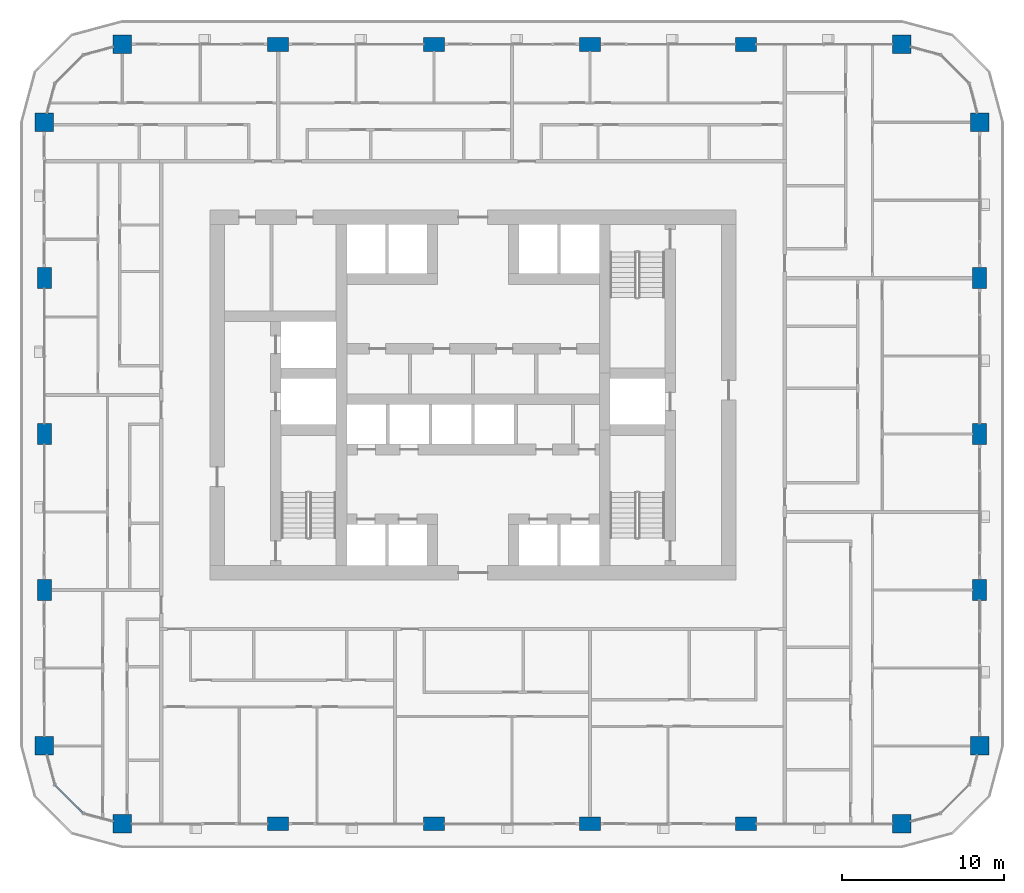
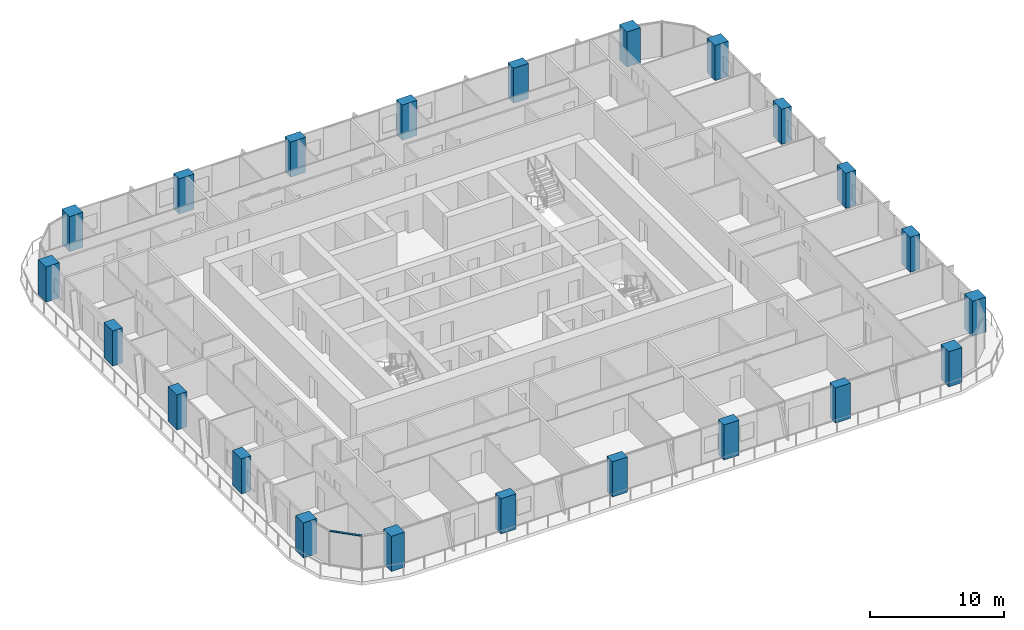
# One storey, part 1 of 22: 22 columns, 1 member, 1 element without a shape of its own.
"""IFC4 building model written with IfcOpenShell, lengths in metres."""

from ifc_helpers import new_model, si_unit, direction, frame, origin, origin_2d, place, context, subcontext, project, spatial, rectangle, extrude, material, layer, layer_set, material_profile, profile_set, type_object, element, aggregate, save


model = new_model("IFC4")

# Units and contexts
model_context = context("Model", 3, precision=1e-05, world=origin(), true_north=direction((0.0, 1.0)))
body_context = subcontext(model_context, "Body", "Model", "MODEL_VIEW")
ifc_project = project(units=[si_unit("LENGTHUNIT", "METRE"), si_unit("AREAUNIT", "SQUARE_METRE"), si_unit("VOLUMEUNIT", "CUBIC_METRE"), si_unit("PLANEANGLEUNIT", "RADIAN"), si_unit("MASSUNIT", "GRAM", prefix="KILO")], contexts=[model_context])

# Site, building, storey
site_placement = place(None, origin())
site = spatial("IfcSite", under=ifc_project, at=site_placement, CompositionType="ELEMENT")
building_placement = place(site_placement, origin())
building = spatial("IfcBuilding", under=site, at=building_placement, Name="Madar Terraces", CompositionType="ELEMENT")
storey_placement = place(building_placement, frame((0.0, 0.0, 69.800048828125)))
storey = spatial("IfcBuildingStorey", under=building, at=storey_placement, Name="L17", CompositionType="ELEMENT", Elevation=69.800048828125)

# Columns
ifc_material_1 = material(Name="Concrete C80/95", Category="concrete")
ifc_material_profile_1 = material_profile(ifc_material_1, rectangle(XDim=1.300048828125, YDim=0.85009765625, at=origin_2d()), Name="CC2 RC 1300x850")
ifc_profile_set_1 = profile_set([ifc_material_profile_1], Name="Concrete C80/95")
column_type_1 = type_object("IfcColumnType", Name="CC2 RC 1300x850", PredefinedType="COLUMN", material=ifc_profile_set_1)
for number, where, z_axis, x_axis, name in (
    (1, (19.199951171875, 0.0, 0.0), (0.0, 0.0, 1.0), (1.0, 0.0, 0.0), "Perimeter column S2"),
    (2, (28.800048828125, 0.0, 0.0), (0.0, 0.0, 1.0), (1.0, 0.0, 0.0), "Perimeter column S3"),
    (3, (38.39990234375, 0.0, 0.0), (0.0, 0.0, 1.0), (1.0, 0.0, 0.0), "Perimeter column S4"),
    (4, (48.0, 0.0, 0.0), (0.0, 0.0, 1.0), (1.0, 0.0, 0.0), "Perimeter column S5"),
    (5, (62.39990234375, 14.39990234375, 0.0), (0.0, 0.0, 1.0), (0.0, 1.0, 0.0), "Perimeter column E2"),
    (6, (62.39990234375, 24.0, 0.0), (0.0, 0.0, 1.0), (0.0, 1.0, 0.0), "Perimeter column E3"),
    (7, (62.39990234375, 33.60009765625, 0.0), (0.0, 0.0, 1.0), (0.0, 1.0, 0.0), "Perimeter column E4"),
    (8, (48.0, 48.0, 0.0), (0.0, 0.0, 1.0), (1.0, 0.0, 0.0), "Perimeter column N2"),
    (9, (38.39990234375, 48.0, 0.0), (0.0, 0.0, 1.0), (1.0, 0.0, 0.0), "Perimeter column N3"),
    (10, (28.800048828125, 48.0, 0.0), (0.0, 0.0, 1.0), (1.0, 0.0, 0.0), "Perimeter column N4"),
    (11, (19.199951171875, 48.0, 0.0), (0.0, 0.0, 1.0), (1.0, 0.0, 0.0), "Perimeter column N5"),
    (12, (4.800048828125, 33.60009765625, 0.0), (0.0, 0.0, 1.0), (0.0, 1.0, 0.0), "Perimeter column W2"),
    (13, (4.800048828125, 24.0, 0.0), (0.0, 0.0, 1.0), (0.0, 1.0, 0.0), "Perimeter column W3"),
    (14, (4.800048828125, 14.39990234375, 0.0), (0.0, 0.0, 1.0), (0.0, 1.0, 0.0), "Perimeter column W4"),
):
    element("IfcColumn", number, at=place(storey_placement, frame(where, z_axis=z_axis, x_axis=x_axis)), inside=storey, type_object=column_type_1, Name=name, PredefinedType="COLUMN", context=body_context, shape_type="SweptSolid", body=[
        extrude(rectangle(XDim=1.300048828125, YDim=0.85009765625, at=origin_2d()), origin(), (0.0, 0.0, 1.0), 3.199951171875),
    ])
ifc_material_2 = material(Name="Concrete C80/95", Category="concrete")
ifc_material_profile_2 = material_profile(ifc_material_2, rectangle(XDim=1.14990234375, YDim=1.14990234375, at=origin_2d()), Name="KC2 RC 1150x1150")
ifc_profile_set_2 = profile_set([ifc_material_profile_2], Name="Concrete C80/95")
column_type_2 = type_object("IfcColumnType", Name="KC2 RC 1150x1150", PredefinedType="COLUMN", material=ifc_profile_set_2)
for number, where, z_axis, x_axis, name in (
    (15, (9.60009765625, 0.0, 0.0), (0.0, 0.0, 1.0), (1.0, 0.0, 0.0), "Perimeter column S1"),
    (16, (57.60009765625, 0.0, 0.0), (0.0, 0.0, 1.0), (1.0, 0.0, 0.0), "Perimeter column S6"),
    (17, (62.39990234375, 4.800048828125, 0.0), (0.0, 0.0, 1.0), (1.0, 0.0, 0.0), "Perimeter column E1"),
    (18, (62.39990234375, 43.199951171875, 0.0), (0.0, 0.0, 1.0), (1.0, 0.0, 0.0), "Perimeter column E5"),
    (19, (57.60009765625, 48.0, 0.0), (0.0, 0.0, 1.0), (1.0, 0.0, 0.0), "Perimeter column N1"),
    (20, (9.60009765625, 48.0, 0.0), (0.0, 0.0, 1.0), (1.0, 0.0, 0.0), "Perimeter column N6"),
    (21, (4.800048828125, 43.199951171875, 0.0), (0.0, 0.0, 1.0), (1.0, 0.0, 0.0), "Perimeter column W1"),
    (22, (4.800048828125, 4.800048828125, 0.0), (0.0, 0.0, 1.0), (1.0, 0.0, 0.0), "Perimeter column W5"),
):
    element("IfcColumn", number, at=place(storey_placement, frame(where, z_axis=z_axis, x_axis=x_axis)), inside=storey, type_object=column_type_2, Name=name, PredefinedType="COLUMN", context=body_context, shape_type="SweptSolid", body=[
        extrude(rectangle(XDim=1.14990234375, YDim=1.14990234375, at=origin_2d()), origin(), (0.0, 0.0, 1.0), 3.199951171875),
    ])

# Curtain wall, member
ifc_material_3 = material(Name="Glass, ceramic frit dark grey, with black aluminium frame", Category="aluminium")
ifc_layer = layer(ifc_material_3, 0.199951171875)
ifc_layer_set = layer_set([ifc_layer], Name="Facade curtain wall, fritted glass")
curtain_wall_type = type_object("IfcCurtainWallType", Name="Facade curtain wall, fritted glass", PredefinedType="NOTDEFINED", material=ifc_layer_set)
curtain_wall_placement = place(storey_placement, origin())
curtain_wall = element("IfcCurtainWall", 23, at=curtain_wall_placement, inside=storey, type_object=curtain_wall_type, Name="Outer skin curtain wall south-west corner", PredefinedType="NOTDEFINED")
ifc_material_4 = material(Name="Aluminium, black anodised", Category="aluminium")
ifc_material_profile_3 = material_profile(ifc_material_4, rectangle(XDim=0.1201171875, YDim=0.06005859375, at=origin_2d()), Name="Facade transom 60x120")
ifc_profile_set_3 = profile_set([ifc_material_profile_3], Name="Aluminium, black anodised")
member_type = type_object("IfcMemberType", Name="Facade transom 60x120", PredefinedType="USERDEFINED", material=ifc_profile_set_3)
member_placement = place(storey_placement, frame((5.46435546875, 2.37890625, 3.169921875), z_axis=(0.707056433593, -0.707157125196, 0.0), x_axis=(0.707157125196, 0.707056433593, 0.0)))
member = element("IfcMember", 24, at=member_placement, type_object=member_type, Name="Transom 2", ObjectType="TRANSOM", PredefinedType="USERDEFINED", context=body_context, shape_type="SweptSolid", body=[
    extrude(rectangle(XDim=0.1201171875, YDim=0.06005859375, at=origin_2d()), origin(), (0.0, 0.0, 1.0), 2.424560546875),
])
aggregate(curtain_wall, [member])

save(model, "model.ifc")
